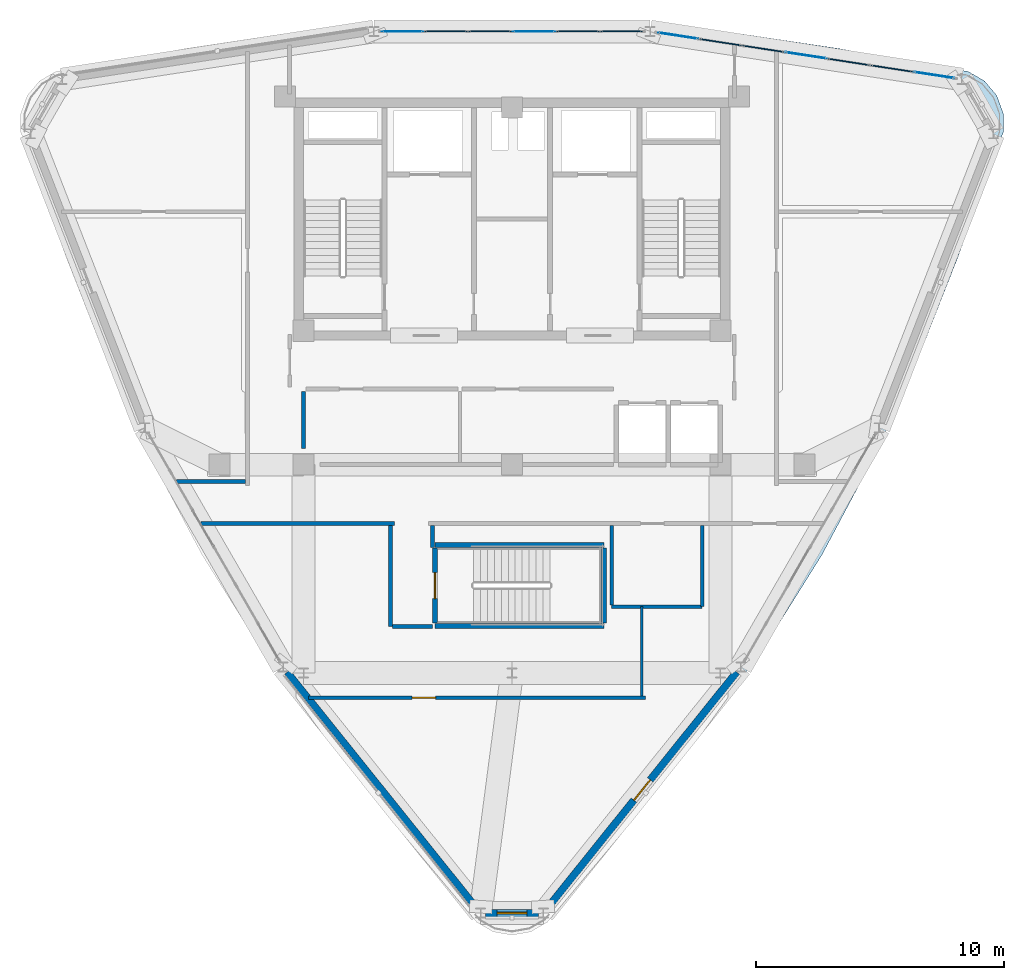
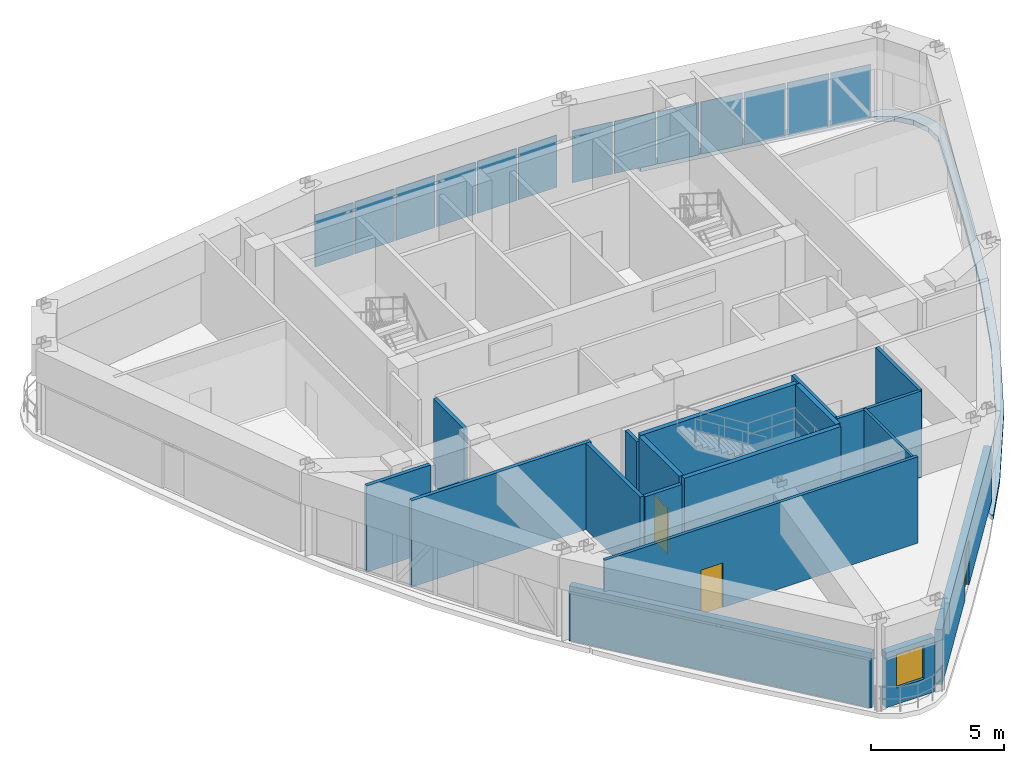
# One storey, part 12 of 17: 18 walls, 13 plates, 3 doors, 1 slab, 1 window, 4 openings, 2 elements without a shape of their own.
"""IFC4 building model written with IfcOpenShell, lengths in metres."""

from ifc_helpers import new_model, si_unit, derived_unit, direction, frame, frame_2d, origin, origin_2d, place, context, subcontext, project, spatial, polyline, rectangle, outline, extrude, source, transform, mapped, material, layer, layer_set, type_object, element, fill, aggregate, save


model = new_model("IFC4")

# Units and contexts
model_context = context("Model", 3, precision=1e-05, world=origin(), true_north=direction((0.0, 1.0)))
body_context = subcontext(model_context, "Body", "Model", "MODEL_VIEW")
ifc_project = project(units=[si_unit("LENGTHUNIT", "METRE"), si_unit("AREAUNIT", "SQUARE_METRE"), si_unit("VOLUMEUNIT", "CUBIC_METRE"), si_unit("PLANEANGLEUNIT", "RADIAN"), si_unit("MASSUNIT", "GRAM", prefix="KILO"), derived_unit("THERMALTRANSMITTANCEUNIT", [(si_unit("POWERUNIT", "WATT"), 1), (si_unit("LENGTHUNIT", "METRE"), -2), (si_unit("THERMODYNAMICTEMPERATUREUNIT", "KELVIN"), -1)])], contexts=[model_context])

# Site, building, storey
site_placement = place(None, origin())
site = spatial("IfcSite", under=ifc_project, at=site_placement, CompositionType="ELEMENT")
building_placement = place(site_placement, origin())
building = spatial("IfcBuilding", under=site, at=building_placement, Name="Korsvarv Bourse and Concert Hall", CompositionType="ELEMENT")
storey_placement = place(building_placement, frame((0.0, 0.0, 279.60009765625)))
storey = spatial("IfcBuildingStorey", under=building, at=storey_placement, Name="L73", CompositionType="ELEMENT", Elevation=279.60009765625)

# Slab
ifc_material_1 = material(Name="Concrete C45/55", Category="concrete")
ifc_layer_1 = layer(ifc_material_1, 0.22998046875)
ifc_layer_set_1 = layer_set([ifc_layer_1], Name="Concrete C45/55")
slab_type = type_object("IfcSlabType", Name="SLB-SKY", PredefinedType="FLOOR", material=ifc_layer_set_1)
slab_placement = place(storey_placement, frame((0.0, 0.0, -0.22998046875)))
element("IfcSlab", 1, at=slab_placement, inside=storey, type_object=slab_type, Name="L73 Crescent Sky Garden Terrace 2", PredefinedType="FLOOR", context=body_context, shape_type="SweptSolid", body=[
    extrude(outline(polyline([(44.699951171875, 49.7802734375), (44.7001953125, 49.7861328125), (44.701171875, 49.791748046875), (44.702392578125, 49.79736328125), (44.704345703125, 49.802734375), (44.706787109375, 49.807861328125), (44.709716796875, 49.81298828125), (44.712890625, 49.8173828125), (44.716796875, 49.822021484375), (44.720703125, 49.82568359375), (44.725341796875, 49.829345703125), (44.730224609375, 49.83251953125), (44.7353515625, 49.8349609375), (44.740478515625, 49.837158203125), (44.74609375, 49.838623046875), (44.751708984375, 49.83984375), (44.757568359375, 49.84033203125), (44.76318359375, 49.84033203125), (44.768798828125, 49.839599609375), (49.081298828125, 49.1923828125), (49.0830078125, 49.192138671875), (53.4794921875, 48.413330078125), (54.37646484375, 48.255126953125), (54.381591796875, 48.25390625), (54.38671875, 48.25244140625), (54.391357421875, 48.25048828125), (54.39599609375, 48.248046875), (55.04150390625, 47.87548828125), (55.0458984375, 47.872802734375), (55.050048828125, 47.869384765625), (55.053955078125, 47.865966796875), (55.057373046875, 47.862060546875), (55.536376953125, 47.291259765625), (55.53955078125, 47.287109375), (55.542236328125, 47.28271484375), (55.544677734375, 47.278076171875), (55.546630859375, 47.273193359375), (55.801513671875, 46.572998046875), (55.80322265625, 46.568115234375), (55.80419921875, 46.56298828125), (55.804931640625, 46.5576171875), (55.80517578125, 46.552490234375), (55.80517578125, 45.8076171875), (55.804931640625, 45.80224609375), (55.80419921875, 45.797119140625), (55.80322265625, 45.7919921875), (55.801513671875, 45.787109375), (55.48974609375, 44.930419921875), (53.966064453125, 40.734130859375), (53.965576171875, 40.732666015625), (52.347412109375, 36.6171875), (52.346435546875, 36.614501953125), (50.54736328125, 32.62451171875), (50.545654296875, 32.62109375), (48.505859375, 28.7822265625), (48.50390625, 28.778564453125), (46.198974609375, 25.09228515625), (46.197021484375, 25.089111328125), (44.80859375, 23.159423828125), (44.80517578125, 23.155029296875), (44.801025390625, 23.15087890625), (44.796630859375, 23.147216796875), (44.7919921875, 23.143798828125), (44.786865234375, 23.140869140625), (44.781494140625, 23.138671875), (44.77587890625, 23.13671875), (44.770263671875, 23.135498046875), (44.764404296875, 23.134765625), (44.7587890625, 23.134521484375), (44.7529296875, 23.135009765625), (44.747314453125, 23.135986328125), (44.74169921875, 23.137451171875), (44.736083984375, 23.139404296875), (44.73095703125, 23.14208984375), (44.72607421875, 23.14501953125), (44.721435546875, 23.148681640625), (44.717041015625, 23.152587890625), (44.71337890625, 23.156982421875), (44.709716796875, 23.16162109375), (44.706787109375, 23.16650390625), (44.704345703125, 23.171875), (44.702392578125, 23.177490234375), (44.701171875, 23.18310546875), (44.7001953125, 23.188720703125), (44.699951171875, 23.194580078125), (44.699951171875, 23.55859375), (44.7001953125, 23.564697265625), (44.701416015625, 23.57080078125), (44.702880859375, 23.576904296875), (44.705078125, 23.582763671875), (44.7080078125, 23.58837890625), (44.711181640625, 23.593505859375), (45.964599609375, 25.336181640625), (45.965087890625, 25.3369140625), (45.965576171875, 25.33740234375), (48.220458984375, 28.943603515625), (48.220947265625, 28.9443359375), (48.22119140625, 28.945068359375), (50.216796875, 32.70068359375), (50.21728515625, 32.701416015625), (50.217529296875, 32.702392578125), (51.9775390625, 36.605224609375), (51.977783203125, 36.605712890625), (51.97802734375, 36.6064453125), (53.560546875, 40.632080078125), (53.560546875, 40.632080078125), (53.560791015625, 40.632568359375), (55.051025390625, 44.736572265625), (55.358154296875, 45.580078125), (55.3583984375, 45.580810546875), (55.358642578125, 45.58203125), (55.35888671875, 45.5830078125), (55.35888671875, 45.584228515625), (55.35888671875, 45.584716796875), (55.35888671875, 46.326171875), (55.35888671875, 46.32666015625), (55.35888671875, 46.327880859375), (55.358642578125, 46.328857421875), (55.3583984375, 46.330078125), (55.358154296875, 46.330810546875), (55.1044921875, 47.027099609375), (55.1044921875, 47.02783203125), (55.103759765625, 47.029052734375), (55.103271484375, 47.02978515625), (55.1025390625, 47.031005859375), (55.102294921875, 47.03125), (54.625732421875, 47.59912109375), (54.625244140625, 47.599609375), (54.624267578125, 47.6005859375), (54.623779296875, 47.601318359375), (54.62255859375, 47.60205078125), (54.6220703125, 47.602294921875), (53.980224609375, 47.972900390625), (53.979736328125, 47.97314453125), (53.978515625, 47.9736328125), (53.9775390625, 47.97412109375), (53.976318359375, 47.974365234375), (53.9755859375, 47.974609375), (53.09228515625, 48.130126953125), (48.79248046875, 48.891845703125), (48.7919921875, 48.891845703125), (48.791748046875, 48.891845703125), (44.751220703125, 49.49853515625), (44.7451171875, 49.499755859375), (44.7392578125, 49.50146484375), (44.733642578125, 49.50390625), (44.728515625, 49.5068359375), (44.723388671875, 49.51025390625), (44.71875, 49.514404296875), (44.714599609375, 49.518798828125), (44.710693359375, 49.5234375), (44.70751953125, 49.52880859375), (44.704833984375, 49.5341796875), (44.702880859375, 49.539794921875), (44.701171875, 49.5458984375), (44.7001953125, 49.5517578125), (44.699951171875, 49.557861328125), (44.699951171875, 49.7802734375)])), origin(), (0.0, 0.0, 1.0), 0.22998046875),
])

# Curtain wall, plates
ifc_material_2 = material(Name="Anodised aluminium and triple low-E glazing", Category="glass")
ifc_layer_2 = layer(ifc_material_2, 0.18994140625)
ifc_layer_set_2 = layer_set([ifc_layer_2], Name="Anodised aluminium and triple low-E glazing")
curtain_wall_type = type_object("IfcCurtainWallType", Name="CW-SYS-4", PredefinedType="NOTDEFINED", material=ifc_layer_set_2)
curtain_wall_1_placement = place(storey_placement, origin())
curtain_wall_1 = element("IfcCurtainWall", 2, at=curtain_wall_1_placement, inside=storey, type_object=curtain_wall_type, Name="L73 CW4 curtain wall CW-L73-F02", PredefinedType="NOTDEFINED")
ifc_material_3 = material(Name="Insulated spandrel glass", Category="glass")
ifc_layer_3 = layer(ifc_material_3, 0.031982421875)
ifc_layer_set_3 = layer_set([ifc_layer_3], Name="Insulated spandrel glass")
plate_type_1 = type_object("IfcPlateType", Name="CWP-SPD1", PredefinedType="CURTAIN_PANEL", material=ifc_layer_set_3)
shared_shape_1 = source(origin(), body_context, "Body", "SweptSolid", [
    extrude(rectangle(XDim=1.639404296875, YDim=0.031982421875, at=origin_2d()), origin(), (0.0, 0.0, 1.0), 2.389892578125),
])
plate_1_placement = place(storey_placement, frame((53.009033203125, 48.109375, 0.06494140625), z_axis=(0.0, 0.0, 1.0), x_axis=(-0.98839109921, 0.151931020537, 0.0)))
plate_1 = element("IfcPlate", 3, at=plate_1_placement, type_object=plate_type_1, Name="CW4 spandrel shadow-box panel 1.1", PredefinedType="CURTAIN_PANEL", context=body_context, shape_type="MappedRepresentation", body=[
    mapped(shared_shape_1, transform((0.0, 0.0, 0.0), scale=1.0)),
])
plate_2_placement = place(storey_placement, frame((42.69921875, 49.694091796875, 0.06494140625), z_axis=(0.0, 0.0, 1.0), x_axis=(-0.98839109921, 0.151931020537, 0.0)))
plate_2 = element("IfcPlate", 4, at=plate_2_placement, type_object=plate_type_1, Name="CW4 spandrel shadow-box panel 7.1", PredefinedType="CURTAIN_PANEL", context=body_context, shape_type="MappedRepresentation", body=[
    mapped(shared_shape_1, transform((0.0, 0.0, 0.0), scale=1.0)),
])
ifc_material_4 = material(Name="Tempered triple insulated low-E architectural glass", Category="glass")
ifc_layer_4 = layer(ifc_material_4, 0.0419921875)
ifc_layer_set_4 = layer_set([ifc_layer_4], Name="Tempered triple insulated low-E architectural glass")
plate_type_2 = type_object("IfcPlateType", Name="CWP-VIS3", PredefinedType="CURTAIN_PANEL", material=ifc_layer_set_4)
shared_shape_2 = source(origin(), body_context, "Body", "SweptSolid", [
    extrude(rectangle(XDim=1.67431640625, YDim=0.0419921875, at=origin_2d()), origin(), (0.0, 0.0, 1.0), 2.389892578125),
])
plate_3_placement = place(storey_placement, frame((51.30224609375, 48.371826171875, 0.06494140625), z_axis=(0.0, 0.0, 1.0), x_axis=(-0.98839109921, 0.151931020537, 0.0)))
plate_3 = element("IfcPlate", 5, at=plate_3_placement, type_object=plate_type_2, Name="CW4 faceted panel 2.1", PredefinedType="CURTAIN_PANEL", context=body_context, shape_type="MappedRepresentation", body=[
    mapped(shared_shape_2, transform((0.0, 0.0, 0.0), scale=1.0)),
])
plate_4_placement = place(storey_placement, frame((49.578369140625, 48.63671875, 0.06494140625), z_axis=(0.0, 0.0, 1.0), x_axis=(-0.98839109921, 0.151931020537, 0.0)))
plate_4 = element("IfcPlate", 6, at=plate_4_placement, type_object=plate_type_2, Name="CW4 faceted panel 3.1", PredefinedType="CURTAIN_PANEL", context=body_context, shape_type="MappedRepresentation", body=[
    mapped(shared_shape_2, transform((0.0, 0.0, 0.0), scale=1.0)),
])
plate_5_placement = place(storey_placement, frame((46.130126953125, 49.166748046875, 0.06494140625), z_axis=(0.0, 0.0, 1.0), x_axis=(-0.98839109921, 0.151931020537, 0.0)))
plate_5 = element("IfcPlate", 7, at=plate_5_placement, type_object=plate_type_2, Name="CW4 faceted panel 5.1", PredefinedType="CURTAIN_PANEL", context=body_context, shape_type="MappedRepresentation", body=[
    mapped(shared_shape_2, transform((0.0, 0.0, 0.0), scale=1.0)),
])
plate_6_placement = place(storey_placement, frame((44.406005859375, 49.431884765625, 0.06494140625), z_axis=(0.0, 0.0, 1.0), x_axis=(-0.98839109921, 0.151931020537, 0.0)))
plate_6 = element("IfcPlate", 8, at=plate_6_placement, type_object=plate_type_2, Name="CW4 faceted panel 6.1", PredefinedType="CURTAIN_PANEL", context=body_context, shape_type="MappedRepresentation", body=[
    mapped(shared_shape_2, transform((0.0, 0.0, 0.0), scale=1.0)),
])
shared_shape_3 = source(origin(), body_context, "Body", "SweptSolid", [
    extrude(rectangle(XDim=1.67431640625, YDim=0.031982421875, at=origin_2d()), origin(), (0.0, 0.0, 1.0), 2.389892578125),
])
plate_7_placement = place(storey_placement, frame((47.854248046875, 48.90185546875, 0.06494140625), z_axis=(0.0, 0.0, 1.0), x_axis=(-0.98839109921, 0.151931020537, 0.0)))
plate_7 = element("IfcPlate", 9, at=plate_7_placement, type_object=plate_type_1, Name="CW4 spandrel shadow-box panel 4.1", PredefinedType="CURTAIN_PANEL", context=body_context, shape_type="MappedRepresentation", body=[
    mapped(shared_shape_3, transform((0.0, 0.0, 0.0), scale=1.0)),
])
aggregate(curtain_wall_1, [plate_1, plate_3, plate_4, plate_7, plate_5, plate_6, plate_2])

curtain_wall_2_placement = place(storey_placement, origin())
curtain_wall_2 = element("IfcCurtainWall", 10, at=curtain_wall_2_placement, inside=storey, type_object=curtain_wall_type, Name="L73 CW4 curtain wall CW-L73-F03", PredefinedType="NOTDEFINED")
shared_shape_4 = source(origin(), body_context, "Body", "SweptSolid", [
    extrude(rectangle(XDim=1.66796875, YDim=0.0419921875, at=origin_2d()), origin(), (0.0, 0.0, 1.0), 2.389892578125),
])
plate_8_placement = place(storey_placement, frame((40.4150390625, 49.867919921875, 0.06494140625), z_axis=(0.0, 0.0, 1.0), x_axis=(-1.0, 0.0, 0.0)))
plate_8 = element("IfcPlate", 11, at=plate_8_placement, type_object=plate_type_2, Name="CW4 faceted panel 1.1", PredefinedType="CURTAIN_PANEL", context=body_context, shape_type="MappedRepresentation", body=[
    mapped(shared_shape_4, transform((0.0, 0.0, 0.0), scale=1.0)),
])
shared_shape_5 = source(origin(), body_context, "Body", "SweptSolid", [
    extrude(rectangle(XDim=1.702880859375, YDim=0.0419921875, at=origin_2d()), origin(), (0.0, 0.0, 1.0), 2.389892578125),
])
plate_9_placement = place(storey_placement, frame((38.659423828125, 49.867919921875, 0.06494140625), z_axis=(0.0, 0.0, 1.0), x_axis=(-1.0, 0.0, 0.0)))
plate_9 = element("IfcPlate", 12, at=plate_9_placement, type_object=plate_type_2, Name="CW4 faceted panel 2.1", PredefinedType="CURTAIN_PANEL", context=body_context, shape_type="MappedRepresentation", body=[
    mapped(shared_shape_5, transform((0.0, 0.0, 0.0), scale=1.0)),
])
plate_10_placement = place(storey_placement, frame((35.113525390625, 49.867919921875, 0.06494140625), z_axis=(0.0, 0.0, 1.0), x_axis=(-1.0, 0.0, 0.0)))
plate_10 = element("IfcPlate", 13, at=plate_10_placement, type_object=plate_type_2, Name="CW4 faceted panel 4.1", PredefinedType="CURTAIN_PANEL", context=body_context, shape_type="MappedRepresentation", body=[
    mapped(shared_shape_5, transform((0.0, 0.0, 0.0), scale=1.0)),
])
plate_11_placement = place(storey_placement, frame((33.340576171875, 49.867919921875, 0.06494140625), z_axis=(0.0, 0.0, 1.0), x_axis=(-1.0, 0.0, 0.0)))
plate_11 = element("IfcPlate", 14, at=plate_11_placement, type_object=plate_type_2, Name="CW4 faceted panel 5.1", PredefinedType="CURTAIN_PANEL", context=body_context, shape_type="MappedRepresentation", body=[
    mapped(shared_shape_5, transform((0.0, 0.0, 0.0), scale=1.0)),
])
shared_shape_6 = source(origin(), body_context, "Body", "SweptSolid", [
    extrude(rectangle(XDim=1.702880859375, YDim=0.031982421875, at=origin_2d()), origin(), (0.0, 0.0, 1.0), 2.389892578125),
])
plate_12_placement = place(storey_placement, frame((36.886474609375, 49.867919921875, 0.06494140625), z_axis=(0.0, 0.0, 1.0), x_axis=(-1.0, 0.0, 0.0)))
plate_12 = element("IfcPlate", 15, at=plate_12_placement, type_object=plate_type_1, Name="CW4 spandrel shadow-box panel 3.1", PredefinedType="CURTAIN_PANEL", context=body_context, shape_type="MappedRepresentation", body=[
    mapped(shared_shape_6, transform((0.0, 0.0, 0.0), scale=1.0)),
])
shared_shape_7 = source(origin(), body_context, "Body", "SweptSolid", [
    extrude(rectangle(XDim=1.66796875, YDim=0.031982421875, at=origin_2d()), origin(), (0.0, 0.0, 1.0), 2.389892578125),
])
plate_13_placement = place(storey_placement, frame((31.5849609375, 49.867919921875, 0.06494140625), z_axis=(0.0, 0.0, 1.0), x_axis=(-1.0, 0.0, 0.0)))
plate_13 = element("IfcPlate", 16, at=plate_13_placement, type_object=plate_type_1, Name="CW4 spandrel shadow-box panel 6.1", PredefinedType="CURTAIN_PANEL", context=body_context, shape_type="MappedRepresentation", body=[
    mapped(shared_shape_7, transform((0.0, 0.0, 0.0), scale=1.0)),
])
aggregate(curtain_wall_2, [plate_8, plate_9, plate_12, plate_10, plate_11, plate_13])

# Walls
ifc_material_5 = material(Name="Concrete C50/60", Category="concrete")
ifc_layer_5 = layer(ifc_material_5, 0.3798828125)
ifc_layer_set_5 = layer_set([ifc_layer_5], Name="Concrete C50/60")
wall_type_1 = type_object("IfcWallType", Name="WL-CORE-380", PredefinedType="SHEAR", material=ifc_layer_set_5)
for number, where, z_axis, x_axis, name in (
    (17, (32.89990234375, 29.159912109375, 0.0), (0.0, 0.0, 1.0), (1.0, 0.0, 0.0), "L73 Lookout Stair North Bearing Wall"),
    (18, (32.89990234375, 25.89990234375, 0.0), (0.0, 0.0, 1.0), (1.0, 0.0, 0.0), "L73 Lookout Stair South Bearing Wall"),
):
    element("IfcWall", number, at=place(storey_placement, frame(where, z_axis=z_axis, x_axis=x_axis)), inside=storey, type_object=wall_type_1, Name=name, PredefinedType="SHEAR", context=body_context, shape_type="SweptSolid", body=[
        extrude(rectangle(XDim=6.800048828125, YDim=0.199951171875, at=frame_2d((3.39990234375, 0.0))), origin(), (0.0, 0.0, 1.0), 4.199951171875),
    ])
wall_1_placement = place(storey_placement, frame((39.699951171875, 26.02001953125, 0.0), z_axis=(0.0, 0.0, 1.0), x_axis=(0.0, 1.0, 0.0)))
element("IfcWall", 19, at=wall_1_placement, inside=storey, type_object=wall_type_1, Name="L73 Lookout Stair East Bearing Wall", PredefinedType="SHEAR", context=body_context, shape_type="SweptSolid", body=[
    extrude(rectangle(XDim=3.02001953125, YDim=0.199951171875, at=frame_2d((1.510009765625, 0.0))), origin(), (0.0, 0.0, 1.0), 4.199951171875),
])

# Wall, opening, door
wall_2_placement = place(storey_placement, frame((32.89990234375, 26.02001953125, 0.0), z_axis=(0.0, 0.0, 1.0), x_axis=(0.0, 1.0, 0.0)))
wall_2 = element("IfcWall", 20, at=wall_2_placement, inside=storey, type_object=wall_type_1, Name="L73 stair shaft structural wall W-L73-STLK-W", PredefinedType="SHEAR", context=body_context, shape_type="SweptSolid", body=[
    extrude(rectangle(XDim=3.02001953125, YDim=0.199951171875, at=frame_2d((1.510009765625, 0.0))), origin(), (0.0, 0.0, 1.0), 4.199951171875),
])
opening_1_placement = place(wall_2_placement, frame((0.97998046875, 0.0, 0.0)))
opening_1 = element("IfcOpeningElement", 21, at=opening_1_placement, cuts=wall_2, Name="Opening D-01", PredefinedType="OPENING", context=body_context, shape_type="SweptSolid", body=[
    extrude(rectangle(XDim=1.050048828125, YDim=2.10009765625, at=frame_2d((0.52490234375, 1.050048828125))), frame((0.0, 0.10986328125, 0.0), z_axis=(0.0, -1.0, 0.0), x_axis=(1.0, 0.0, 0.0)), (0.0, 0.0, 1.0), 0.219970703125),
])
ifc_material_6 = material(Name="Steel S355 fire door", Category="steel")
door_type_1 = type_object("IfcDoorType", Name="DR-FD60", OperationType="NOTDEFINED", PredefinedType="DOOR", material=ifc_material_6)
door_1_placement = place(opening_1_placement, frame((1.050048828125, 0.0, 0.0), z_axis=(0.0, 0.0, 1.0), x_axis=(-1.0, 0.0, 0.0)))
door_1 = element("IfcDoor", 22, at=door_1_placement, inside=storey, type_object=door_type_1, Name="L73 interior door DR-L73-STLK", OperationType="SINGLE_SWING_RIGHT", OverallHeight=2.10009765625, OverallWidth=1.050048828125, PredefinedType="DOOR", context=body_context, shape_type="SweptSolid", body=[
    extrude(rectangle(XDim=1.050048828125, YDim=2.10009765625, at=frame_2d((0.52490234375, 1.050048828125))), frame((0.0, 0.02490234375, 0.0), z_axis=(0.0, -1.0, 0.0), x_axis=(1.0, 0.0, 0.0)), (0.0, 0.0, 1.0), 0.050048828125),
])
fill(opening_1, door_1)

# Wall, opening, window
ifc_material_7 = material(Name="Precast concrete C45/55 with terracotta rainscreen", Category="concrete")
ifc_layer_6 = layer(ifc_material_7, 0.300048828125)
ifc_layer_set_6 = layer_set([ifc_layer_6], Name="Precast concrete C45/55 with terracotta rainscreen")
wall_type_2 = type_object("IfcWallType", Name="WL-EXT-TC1", PredefinedType="SOLIDWALL", material=ifc_layer_set_6)
wall_3_placement = place(storey_placement, frame((34.938232421875, 14.323486328125, 0.0), z_axis=(0.0, 0.0, 1.0), x_axis=(1.0, 0.0, 0.0)))
wall_3 = element("IfcWall", 23, at=wall_3_placement, inside=storey, type_object=wall_type_2, Name="L73 terracotta exterior wall EW-L73-B09", PredefinedType="SOLIDWALL", context=body_context, shape_type="SweptSolid", body=[
    extrude(rectangle(XDim=2.12353515625, YDim=0.300048828125, at=frame_2d((1.061767578125, 0.0))), origin(), (0.0, 0.0, 1.0), 2.52001953125),
])
opening_2_placement = place(wall_3_placement, frame((0.461669921875, 0.0, 0.75)))
opening_2 = element("IfcOpeningElement", 24, at=opening_2_placement, cuts=wall_3, Name="Opening W-16", PredefinedType="OPENING", context=body_context, shape_type="SweptSolid", body=[
    extrude(rectangle(XDim=1.199951171875, YDim=1.550048828125, at=frame_2d((0.60009765625, 0.77490234375))), frame((0.0, 0.16015625, 0.0), z_axis=(0.0, -1.0, 0.0), x_axis=(1.0, 0.0, 0.0)), (0.0, 0.0, 1.0), 0.320068359375),
])
ifc_material_8 = material(Name="Thermally broken aluminium frame with triple low-E glass", Category="glass")
window_type = type_object("IfcWindowType", Name="WIN-TW2-1200X1550", PartitioningType="SINGLE_PANEL", PredefinedType="WINDOW", material=ifc_material_8)
window_placement = place(opening_2_placement, origin())
window = element("IfcWindow", 25, at=window_placement, inside=storey, type_object=window_type, Name="L73 punched facade window W-16", OverallHeight=1.550048828125, OverallWidth=1.199951171875, PartitioningType="SINGLE_PANEL", PredefinedType="WINDOW", context=body_context, shape_type="SweptSolid", body=[
    extrude(rectangle(XDim=1.199951171875, YDim=1.550048828125, at=frame_2d((0.60009765625, 0.77490234375))), frame((0.0, 0.030029296875, 0.0), z_axis=(0.0, -1.0, 0.0), x_axis=(1.0, 0.0, 0.0)), (0.0, 0.0, 1.0), 0.06005859375),
])
fill(opening_2, window)

# Wall, opening, door
wall_4_placement = place(storey_placement, frame((37.431396484375, 14.52783203125, 0.0), z_axis=(0.0, 0.0, 1.0), x_axis=(0.625766469369, 0.780010465195, 0.0)))
wall_4 = element("IfcWall", 26, at=wall_4_placement, inside=storey, type_object=wall_type_2, Name="L73 terracotta exterior wall EW-L73-B10", PredefinedType="SOLIDWALL", context=body_context, shape_type="SweptSolid", body=[
    extrude(rectangle(XDim=12.1923828125, YDim=0.300048828125, at=frame_2d((6.09619140625, 0.0))), origin(), (0.0, 0.0, 1.0), 2.52001953125),
])
opening_3_placement = place(wall_4_placement, frame((5.5712890625, 0.0, 0.0)))
opening_3 = element("IfcOpeningElement", 27, at=opening_3_placement, cuts=wall_4, Name="Opening ED-02", PredefinedType="OPENING", context=body_context, shape_type="SweptSolid", body=[
    extrude(rectangle(XDim=1.050048828125, YDim=2.10009765625, at=frame_2d((0.52490234375, 1.050048828125))), frame((0.0, 0.16015625, 0.0), z_axis=(0.0, -1.0, 0.0), x_axis=(1.0, 0.0, 0.0)), (0.0, 0.0, 1.0), 0.320068359375),
])
ifc_material_9 = material(Name="Thermally broken anodised aluminium and laminated safety glass", Category="aluminium")
door_type_2 = type_object("IfcDoorType", Name="DR-EXT-TERR", OperationType="NOTDEFINED", PredefinedType="DOOR", material=ifc_material_9)
door_2_placement = place(opening_3_placement, frame((1.050048828125, 0.0, 0.0), z_axis=(0.0, 0.0, 1.0), x_axis=(-1.0, 0.0, 0.0)))
door_2 = element("IfcDoor", 28, at=door_2_placement, inside=storey, type_object=door_type_2, Name="L73 Sky Garden Terrace Access Door", OperationType="SINGLE_SWING_RIGHT", OverallHeight=2.10009765625, OverallWidth=1.050048828125, PredefinedType="DOOR", context=body_context, shape_type="SweptSolid", body=[
    extrude(rectangle(XDim=1.050048828125, YDim=2.10009765625, at=frame_2d((0.52490234375, 1.050048828125))), frame((0.0, 0.02490234375, 0.0), z_axis=(0.0, -1.0, 0.0), x_axis=(1.0, 0.0, 0.0)), (0.0, 0.0, 1.0), 0.050048828125),
])
fill(opening_3, door_2)

# Walls
ifc_material_10 = material(Name="Precast concrete C45/55 with fluted terracotta pier", Category="concrete")
ifc_layer_7 = layer(ifc_material_10, 0.280029296875)
ifc_layer_set_7 = layer_set([ifc_layer_7], Name="Precast concrete C45/55 with fluted terracotta pier")
wall_type_3 = type_object("IfcWallType", Name="WL-EXT-TC2", PredefinedType="SOLIDWALL", material=ifc_layer_set_7)
wall_5_placement = place(storey_placement, frame((26.93896484375, 24.0380859375, 0.0), z_axis=(0.0, 0.0, 1.0), x_axis=(0.625766469369, -0.780010465195, 0.0)))
element("IfcWall", 29, at=wall_5_placement, inside=storey, type_object=wall_type_3, Name="L73 terracotta exterior wall EW-L73-B08", PredefinedType="SOLIDWALL", context=body_context, shape_type="SweptSolid", body=[
    extrude(rectangle(XDim=12.1923828125, YDim=0.280029296875, at=frame_2d((6.09619140625, 0.0))), origin(), (0.0, 0.0, 1.0), 2.52001953125),
])
ifc_material_11 = material(Name="Double-stud fire-rated acoustic partition", Category="gypsum")
ifc_layer_8 = layer(ifc_material_11, 0.159912109375)
ifc_layer_set_8 = layer_set([ifc_layer_8], Name="Double-stud fire-rated acoustic partition")
wall_type_4 = type_object("IfcWallType", Name="WL-INT-EI60", PredefinedType="PARTITIONING", material=ifc_layer_set_8)
wall_6_placement = place(storey_placement, frame((27.60009765625, 33.050048828125, 0.0), z_axis=(0.0, 0.0, 1.0), x_axis=(0.0, 1.0, 0.0)))
element("IfcWall", 30, at=wall_6_placement, inside=storey, type_object=wall_type_4, Name="L73 interior partition wall W-L73-FRD-W", PredefinedType="PARTITIONING", context=body_context, shape_type="SweptSolid", body=[
    extrude(rectangle(XDim=2.31005859375, YDim=0.159912109375, at=frame_2d((1.155029296875, 0.0))), origin(), (0.0, 0.0, 1.0), 3.9599609375),
])
wall_7_placement = place(storey_placement, frame((23.456298828125, 30.02490234375, 0.0), z_axis=(0.0, 0.0, 1.0), x_axis=(1.0, 0.0, 0.0)))
element("IfcWall", 31, at=wall_7_placement, inside=storey, type_object=wall_type_4, Name="L73 interior partition wall W-L73-LKCOR-04", PredefinedType="PARTITIONING", context=body_context, shape_type="SweptSolid", body=[
    extrude(rectangle(XDim=7.8037109375, YDim=0.159912109375, at=frame_2d((3.90185546875, 0.0))), origin(), (0.0, 0.0, 1.0), 3.9599609375),
])
wall_8_placement = place(storey_placement, frame((31.10498046875, 25.8701171875, 0.0), z_axis=(0.0, 0.0, 1.0), x_axis=(0.0, 1.0, 0.0)))
element("IfcWall", 32, at=wall_8_placement, inside=storey, type_object=wall_type_4, Name="L73 interior partition wall W-L73-LKCOR-05", PredefinedType="PARTITIONING", context=body_context, shape_type="SweptSolid", body=[
    extrude(rectangle(XDim=4.072998046875, YDim=0.159912109375, at=frame_2d((2.03662109375, 0.0))), origin(), (0.0, 0.0, 1.0), 3.9599609375),
])
wall_9_placement = place(storey_placement, frame((22.480712890625, 31.715087890625, 0.0), z_axis=(0.0, 0.0, 1.0), x_axis=(1.0, 0.0, 0.0)))
element("IfcWall", 33, at=wall_9_placement, inside=storey, type_object=wall_type_4, Name="L73 interior partition wall W-L73-LKCOR-06", PredefinedType="PARTITIONING", context=body_context, shape_type="SweptSolid", body=[
    extrude(rectangle(XDim=2.7822265625, YDim=0.159912109375, at=frame_2d((1.39111328125, 0.0))), origin(), (0.0, 0.0, 1.0), 3.9599609375),
])
wall_10_placement = place(storey_placement, frame((31.18701171875, 25.875, 0.0), z_axis=(0.0, 0.0, 1.0), x_axis=(1.0, 0.0, 0.0)))
element("IfcWall", 34, at=wall_10_placement, inside=storey, type_object=wall_type_4, Name="L73 interior partition wall W-L73-LKCOR-10", PredefinedType="PARTITIONING", context=body_context, shape_type="SweptSolid", body=[
    extrude(rectangle(XDim=1.613037109375, YDim=0.159912109375, at=frame_2d((0.806640625, 0.0))), origin(), (0.0, 0.0, 1.0), 3.9599609375),
])
wall_11_placement = place(storey_placement, frame((32.794921875, 29.070068359375, 0.0), z_axis=(0.0, 0.0, 1.0), x_axis=(0.0, 1.0, 0.0)))
element("IfcWall", 35, at=wall_11_placement, inside=storey, type_object=wall_type_4, Name="L73 interior partition wall W-L73-LKCOR-11", PredefinedType="PARTITIONING", context=body_context, shape_type="SweptSolid", body=[
    extrude(rectangle(XDim=0.873046875, YDim=0.159912109375, at=frame_2d((0.4365234375, 0.0))), origin(), (0.0, 0.0, 1.0), 3.9599609375),
])
ifc_material_12 = material(Name="Demountable acoustic glass and aluminium dealing partition", Category="aluminium")
ifc_layer_9 = layer(ifc_material_12, 0.110107421875)
ifc_layer_set_9 = layer_set([ifc_layer_9], Name="Demountable acoustic glass and aluminium dealing partition")
wall_type_5 = type_object("IfcWallType", Name="WL-INT-MOV", PredefinedType="MOVABLE", material=ifc_layer_set_9)
wall_12_placement = place(storey_placement, frame((41.235107421875, 23.076904296875, 0.0), z_axis=(0.0, 0.0, 1.0), x_axis=(0.0, 1.0, 0.0)))
element("IfcWall", 36, at=wall_12_placement, inside=storey, type_object=wall_type_5, Name="L73 interior partition wall W-L73-LKCOR-15", PredefinedType="MOVABLE", context=body_context, shape_type="SweptSolid", body=[
    extrude(rectangle(XDim=3.613037109375, YDim=0.110107421875, at=frame_2d((1.806640625, 0.0))), origin(), (0.0, 0.0, 1.0), 3.9599609375),
])

# Wall, opening, door
ifc_material_13 = material(Name="Insulated steel-stud office acoustic partition", Category="gypsum")
ifc_layer_10 = layer(ifc_material_13, 0.139892578125)
ifc_layer_set_10 = layer_set([ifc_layer_10], Name="Insulated steel-stud office acoustic partition")
wall_type_6 = type_object("IfcWallType", Name="WL-INT-P1", PredefinedType="PARTITIONING", material=ifc_layer_set_10)
wall_13_placement = place(storey_placement, frame((27.787841796875, 23.0048828125, 0.0), z_axis=(0.0, 0.0, 1.0), x_axis=(1.0, 0.0, 0.0)))
wall_13 = element("IfcWall", 37, at=wall_13_placement, inside=storey, type_object=wall_type_6, Name="L73 interior partition wall W-L73-LKCOR-12", PredefinedType="PARTITIONING", context=body_context, shape_type="SweptSolid", body=[
    extrude(rectangle(XDim=13.60205078125, YDim=0.139892578125, at=frame_2d((6.801025390625, 0.0))), origin(), (0.0, 0.0, 1.0), 3.9599609375),
])
opening_4_placement = place(wall_13_placement, frame((4.180908203125, 0.0, 0.0)))
opening_4 = element("IfcOpeningElement", 38, at=opening_4_placement, cuts=wall_13, Name="Opening D-03", PredefinedType="OPENING", context=body_context, shape_type="SweptSolid", body=[
    extrude(rectangle(XDim=0.949951171875, YDim=2.050048828125, at=frame_2d((0.47509765625, 1.02490234375))), frame((0.0, 0.080078125, 0.0), z_axis=(0.0, -1.0, 0.0), x_axis=(1.0, 0.0, 0.0)), (0.0, 0.0, 1.0), 0.159912109375),
])
ifc_material_14 = material(Name="Nordic oak acoustic office door", Category="wood")
door_type_3 = type_object("IfcDoorType", Name="DR-INT-1", OperationType="NOTDEFINED", PredefinedType="DOOR", material=ifc_material_14)
door_3_placement = place(opening_4_placement, origin())
door_3 = element("IfcDoor", 39, at=door_3_placement, inside=storey, type_object=door_type_3, Name="L73 interior door DR-L73-LKCOR-BS24", OperationType="SINGLE_SWING_RIGHT", OverallHeight=2.050048828125, OverallWidth=0.949951171875, PredefinedType="DOOR", context=body_context, shape_type="SweptSolid", body=[
    extrude(rectangle(XDim=0.949951171875, YDim=2.050048828125, at=frame_2d((0.47509765625, 1.02490234375))), frame((0.0, 0.02490234375, 0.0), z_axis=(0.0, -1.0, 0.0), x_axis=(1.0, 0.0, 0.0)), (0.0, 0.0, 1.0), 0.050048828125),
])
fill(opening_4, door_3)

# Walls
wall_14_placement = place(storey_placement, frame((40.02001953125, 26.675048828125, 0.0), z_axis=(0.0, 0.0, 1.0), x_axis=(1.0, 0.0, 0.0)))
element("IfcWall", 40, at=wall_14_placement, inside=storey, type_object=wall_type_6, Name="L73 interior partition wall W-L73-LKCOR-16", PredefinedType="PARTITIONING", context=body_context, shape_type="SweptSolid", body=[
    extrude(rectangle(XDim=3.639892578125, YDim=0.139892578125, at=frame_2d((1.81982421875, 0.0))), origin(), (0.0, 0.0, 1.0), 3.9599609375),
])
wall_15_placement = place(storey_placement, frame((40.02490234375, 26.7470703125, 0.0), z_axis=(0.0, 0.0, 1.0), x_axis=(0.0, 1.0, 0.0)))
element("IfcWall", 41, at=wall_15_placement, inside=storey, type_object=wall_type_6, Name="L73 interior partition wall W-L73-LKCOR-17", PredefinedType="PARTITIONING", context=body_context, shape_type="SweptSolid", body=[
    extrude(rectangle(XDim=3.196044921875, YDim=0.139892578125, at=frame_2d((1.59814453125, 0.0))), origin(), (0.0, 0.0, 1.0), 3.9599609375),
])
wall_16_placement = place(storey_placement, frame((43.675048828125, 26.68994140625, 0.0), z_axis=(0.0, 0.0, 1.0), x_axis=(0.0, 1.0, 0.0)))
element("IfcWall", 42, at=wall_16_placement, inside=storey, type_object=wall_type_6, Name="L73 interior partition wall W-L73-LKCOR-18", PredefinedType="PARTITIONING", context=body_context, shape_type="SweptSolid", body=[
    extrude(rectangle(XDim=3.253173828125, YDim=0.139892578125, at=frame_2d((1.62646484375, 0.0))), origin(), (0.0, 0.0, 1.0), 3.9599609375),
])

save(model, "model.ifc")
